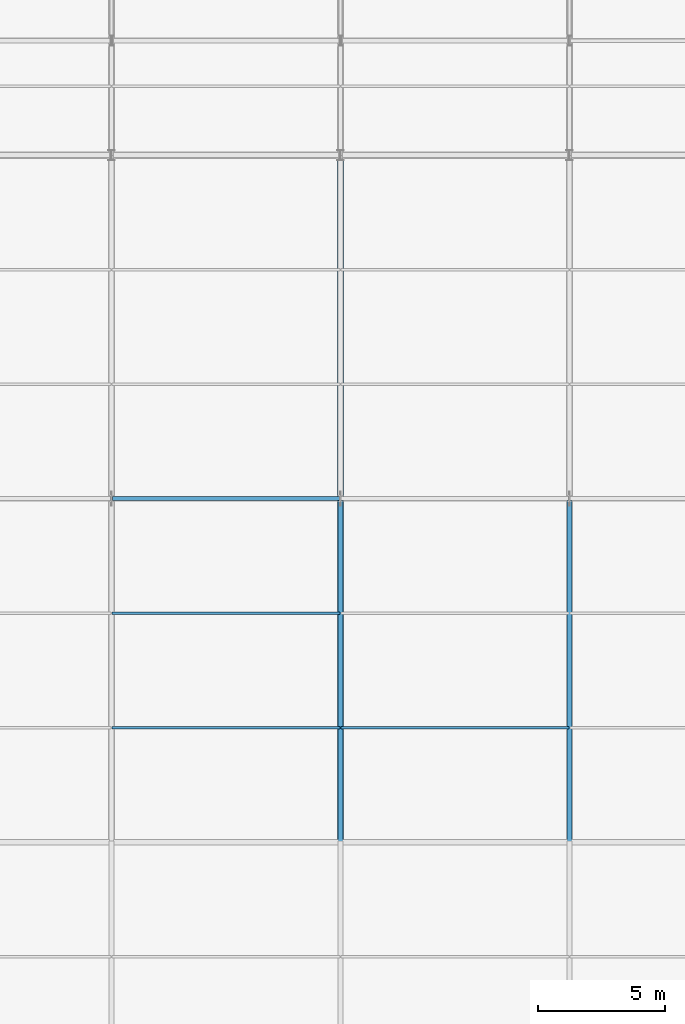
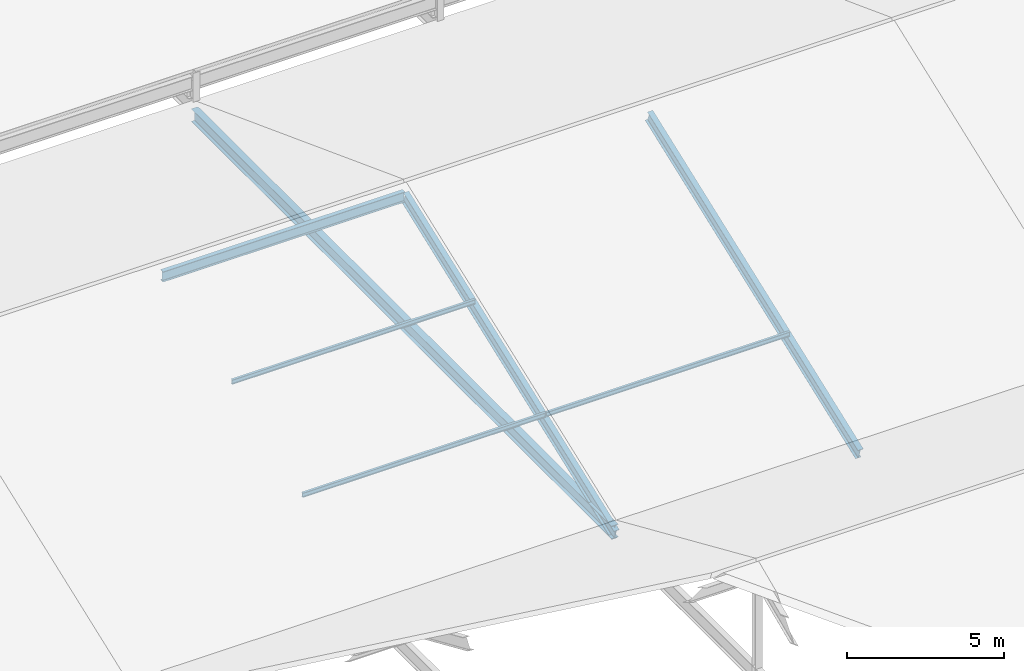
# One storey, part 36 of 163: 6 members, 1 beam.
"""IFC4 building model written with IfcOpenShell, lengths in metres."""

from ifc_helpers import new_model, si_unit, direction, frame, origin, origin_2d, place, context, subcontext, project, spatial, i_section, extrude, material, material_profile, profile_set, type_object, element, save


model = new_model("IFC4")

# Units and contexts
model_context = context("Model", 3, precision=1e-05, world=origin(), true_north=direction((0.0, 1.0)))
body_context = subcontext(model_context, "Body", "Model", "MODEL_VIEW")
ifc_project = project(units=[si_unit("LENGTHUNIT", "METRE"), si_unit("AREAUNIT", "SQUARE_METRE"), si_unit("VOLUMEUNIT", "CUBIC_METRE"), si_unit("PLANEANGLEUNIT", "RADIAN"), si_unit("MASSUNIT", "GRAM", prefix="KILO")], contexts=[model_context])

# Site, building, storey
site_placement = place(None, origin())
site = spatial("IfcSite", under=ifc_project, at=site_placement, CompositionType="ELEMENT")
building_placement = place(site_placement, origin())
building = spatial("IfcBuilding", under=site, at=building_placement, Name="Tharagai Park Tramway Depot", CompositionType="ELEMENT")
storey_placement = place(building_placement, frame((0.0, 0.0, 8.39990234375)))
storey = spatial("IfcBuildingStorey", under=building, at=storey_placement, Name="L02", CompositionType="ELEMENT", Elevation=8.39990234375)

# Beam
ifc_material_1 = material(Name="Steel E350", Category="steel")
ifc_material_profile_1 = material_profile(ifc_material_1, i_section(OverallWidth=0.25, OverallDepth=0.5, WebThickness=0.010009765625, FlangeThickness=0.0146484375, FilletRadius=0.014892578125, at=origin_2d()), Name="ISWB 500")
ifc_profile_set_1 = profile_set([ifc_material_profile_1], Name="Steel E350")
beam_type = type_object("IfcBeamType", Name="BM-08", PredefinedType="BEAM", material=ifc_profile_set_1)
beam_placement = place(storey_placement, frame((36.0, 63.080078125, -0.5), z_axis=(0.0, 1.0, 0.0), x_axis=(-1.0, 0.0, 0.0)))
element("IfcBeam", 1, at=beam_placement, inside=storey, type_object=beam_type, Name="V2B Gable Tie Girder BM-08", PredefinedType="BEAM", context=body_context, shape_type="SweptSolid", body=[
    extrude(i_section(OverallWidth=0.25, OverallDepth=0.5, WebThickness=0.010009765625, FlangeThickness=0.0146484375, FilletRadius=0.014892578125, at=origin_2d()), origin(), (0.0, 0.0, 1.0), 26.83984375),
])

# Members
ifc_material_2 = material(Name="Steel E250", Category="steel")
ifc_material_profile_2 = material_profile(ifc_material_2, i_section(OverallWidth=0.090087890625, OverallDepth=0.175048828125, WebThickness=0.005615234375, FlangeThickness=0.009033203125, FilletRadius=0.010009765625, at=origin_2d()), Name="ISMB 175")
ifc_profile_set_2 = profile_set([ifc_material_profile_2], Name="Steel E250")
member_type_1 = type_object("IfcMemberType", Name="PR-01", PredefinedType="PURLIN", material=ifc_profile_set_2)
for number, where, z_axis, x_axis, name in (
    (2, (27.02001953125, 67.5, 1.398681640625), (1.0, 0.0, 0.0), (0.0, 1.0, 0.0), "V2B Roof Purlin PR-01"),
    (3, (27.02001953125, 72.0, 3.0810546875), (1.0, 0.0, 0.0), (0.0, 1.0, 0.0), "V2B Roof Purlin PR-01"),
    (4, (36.02001953125, 67.5, 1.398681640625), (1.0, 0.0, 0.0), (0.0, 1.0, 0.0), "V2B Roof Purlin PR-01"),
):
    element("IfcMember", number, at=place(storey_placement, frame(where, z_axis=z_axis, x_axis=x_axis)), inside=storey, type_object=member_type_1, Name=name, PredefinedType="PURLIN", context=body_context, shape_type="SweptSolid", body=[
        extrude(i_section(OverallWidth=0.090087890625, OverallDepth=0.175048828125, WebThickness=0.005615234375, FlangeThickness=0.009033203125, FilletRadius=0.010009765625, at=origin_2d()), origin(), (0.0, 0.0, 1.0), 8.9599609375),
    ])
ifc_material_profile_3 = material_profile(ifc_material_1, i_section(OverallWidth=0.199951171875, OverallDepth=0.449951171875, WebThickness=0.00927734375, FlangeThickness=0.015380859375, FilletRadius=0.014892578125, at=origin_2d()), Name="ISWB 450")
ifc_profile_set_3 = profile_set([ifc_material_profile_3], Name="Steel E350")
member_type_2 = type_object("IfcMemberType", Name="RF-03", PredefinedType="RAFTER", material=ifc_profile_set_3)
for number, where, z_axis, x_axis, name in (
    (5, (36.0, 63.050048828125, -0.601318359375), (0.0, 0.936246041069, 0.35134505914), (-1.0, 0.0, 0.0), "V2B Pitched Rafter RF-03 South"),
    (6, (45.0, 63.050048828125, -0.601318359375), (0.0, 0.936246041069, 0.35134505914), (-1.0, 0.0, 0.0), "V2B Pitched Rafter RF-03 South"),
):
    element("IfcMember", number, at=place(storey_placement, frame(where, z_axis=z_axis, x_axis=x_axis)), inside=storey, type_object=member_type_2, Name=name, PredefinedType="RAFTER", context=body_context, shape_type="SweptSolid", body=[
        extrude(i_section(OverallWidth=0.199951171875, OverallDepth=0.449951171875, WebThickness=0.00927734375, FlangeThickness=0.015380859375, FilletRadius=0.014892578125, at=origin_2d()), origin(), (0.0, 0.0, 1.0), 14.36572265625),
    ])
ifc_material_profile_4 = material_profile(ifc_material_1, i_section(OverallWidth=0.1650390625, OverallDepth=0.39990234375, WebThickness=0.008056640625, FlangeThickness=0.012451171875, FilletRadius=0.013916015625, at=origin_2d()), Name="ISLB 400")
ifc_profile_set_4 = profile_set([ifc_material_profile_4], Name="Steel E350")
member_type_3 = type_object("IfcMemberType", Name="TC-04", PredefinedType="CHORD", material=ifc_profile_set_4)
member_placement = place(storey_placement, frame((27.0400390625, 76.5, 4.470947265625), z_axis=(1.0, 0.0, 0.0), x_axis=(0.0, 1.0, 0.0)))
element("IfcMember", 7, at=member_placement, inside=storey, type_object=member_type_3, Name="V2B Roof Ridge Chord TC-04", PredefinedType="CHORD", context=body_context, shape_type="SweptSolid", body=[
    extrude(i_section(OverallWidth=0.1650390625, OverallDepth=0.39990234375, WebThickness=0.008056640625, FlangeThickness=0.012451171875, FilletRadius=0.013916015625, at=origin_2d()), origin(), (0.0, 0.0, 1.0), 8.919921875),
])

save(model, "model.ifc")
